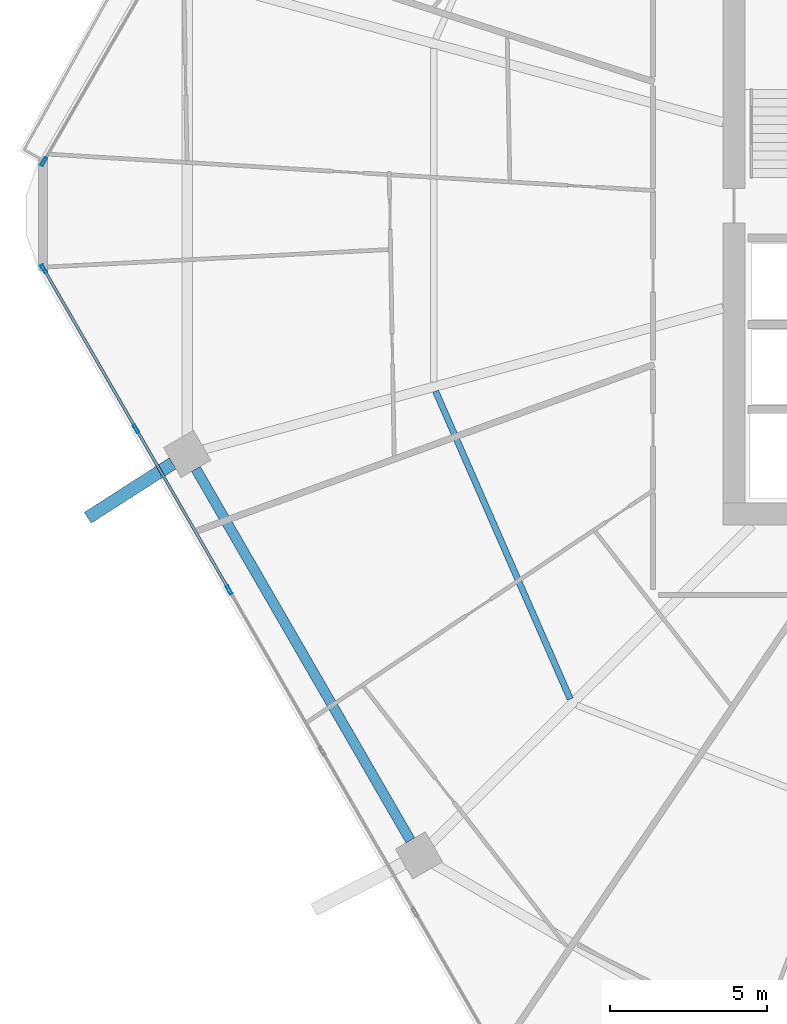
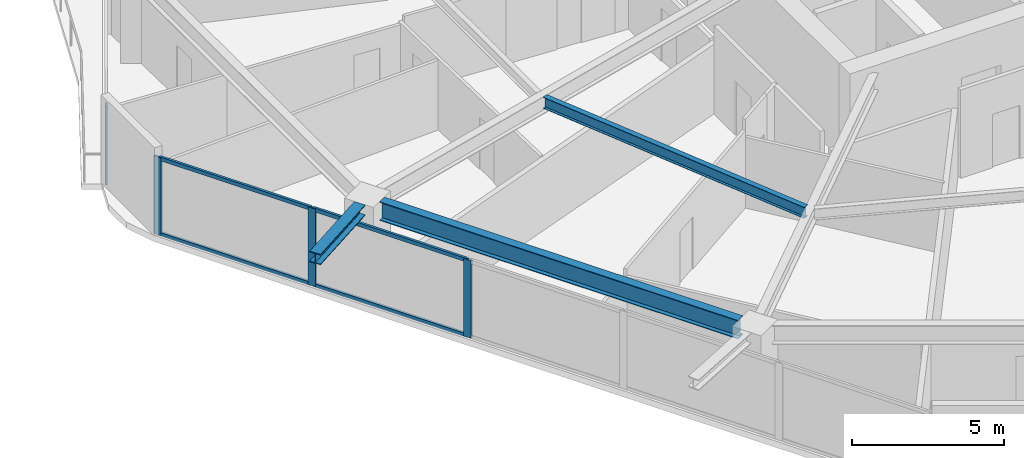
# One storey, part 5 of 33: 8 members, 3 beams, 2 elements without a shape of their own.
"""IFC4 building model written with IfcOpenShell, lengths in metres."""

from ifc_helpers import new_model, si_unit, direction, frame, origin, origin_2d, place, context, subcontext, project, spatial, hollow_rectangle, i_section, extrude, material, material_profile, profile_set, type_object, element, aggregate, save


model = new_model("IFC4")

# Units and contexts
model_context = context("Model", 3, precision=1e-05, world=origin(), true_north=direction((0.0, 1.0)))
body_context = subcontext(model_context, "Body", "Model", "MODEL_VIEW")
ifc_project = project(units=[si_unit("LENGTHUNIT", "METRE"), si_unit("AREAUNIT", "SQUARE_METRE"), si_unit("VOLUMEUNIT", "CUBIC_METRE"), si_unit("PLANEANGLEUNIT", "RADIAN"), si_unit("MASSUNIT", "GRAM", prefix="KILO")], contexts=[model_context])

# Site, building, storey
site_placement = place(None, origin())
site = spatial("IfcSite", under=ifc_project, at=site_placement, CompositionType="ELEMENT")
building_placement = place(site_placement, origin())
building = spatial("IfcBuilding", under=site, at=building_placement, Name="Zuhravey Tower", CompositionType="ELEMENT")
storey_placement = place(building_placement, frame((0.0, 0.0, 96.199951171875)))
storey = spatial("IfcBuildingStorey", under=building, at=storey_placement, Name="L23", CompositionType="ELEMENT", Elevation=96.199951171875)

# Curtain wall, members
ifc_material_1 = material(Name="Thermally broken anodised aluminium", Category="aluminium")
curtain_wall_type = type_object("IfcCurtainWallType", Name="Zone 1-2 Residential Curtain Wall CW3", PredefinedType="NOTDEFINED", material=ifc_material_1)
curtain_wall_1_placement = place(storey_placement, origin())
curtain_wall_1 = element("IfcCurtainWall", 1, at=curtain_wall_1_placement, inside=storey, type_object=curtain_wall_type, Name="L23 CW3 CW-L23-F4-1", PredefinedType="NOTDEFINED")
ifc_material_2 = material(Name="Anodised aluminium", Category="aluminium")
ifc_material_profile_1 = material_profile(ifc_material_2, hollow_rectangle(XDim=0.090087890625, YDim=0.284912109375, WallThickness=0.0048828125, at=origin_2d()), Name="ALU-RHS-90x285x5")
ifc_profile_set_1 = profile_set([ifc_material_profile_1], Name="Anodised aluminium")
member_type_1 = type_object("IfcMemberType", Name="Curtain-Wall Mullion 90x180", PredefinedType="MULLION", material=ifc_profile_set_1)
member_1_placement = place(storey_placement, frame((9.44140625, 20.083984375, 0.0), z_axis=(0.0, 0.0, 1.0), x_axis=(-0.86602552265, -0.499999794119, 0.0)))
member_1 = element("IfcMember", 2, at=member_1_placement, type_object=member_type_1, Name="CW3 mullion 4", PredefinedType="MULLION", context=body_context, shape_type="SweptSolid", body=[
    extrude(hollow_rectangle(XDim=0.090087890625, YDim=0.284912109375, WallThickness=0.0048828125, at=origin_2d()), origin(), (0.0, 0.0, 1.0), 3.1220703125),
])
member_2_placement = place(storey_placement, frame((6.4814453125, 25.210693359375, 0.0), z_axis=(0.0, 0.0, 1.0), x_axis=(-0.86602552265, -0.499999794119, 0.0)))
member_2 = element("IfcMember", 3, at=member_2_placement, type_object=member_type_1, Name="CW3 mullion 5", PredefinedType="MULLION", context=body_context, shape_type="SweptSolid", body=[
    extrude(hollow_rectangle(XDim=0.090087890625, YDim=0.284912109375, WallThickness=0.0048828125, at=origin_2d()), origin(), (0.0, 0.0, 1.0), 3.1220703125),
])
member_3_placement = place(storey_placement, frame((3.5439453125, 30.298583984375, 0.0), z_axis=(0.0, 0.0, 1.0), x_axis=(-0.86602552265, -0.499999794119, 0.0)))
member_3 = element("IfcMember", 4, at=member_3_placement, type_object=member_type_1, Name="CW3 mullion 6", PredefinedType="MULLION", context=body_context, shape_type="SweptSolid", body=[
    extrude(hollow_rectangle(XDim=0.090087890625, YDim=0.284912109375, WallThickness=0.0048828125, at=origin_2d()), origin(), (0.0, 0.0, 1.0), 3.1220703125),
])

# Curtain wall, member
curtain_wall_2_placement = place(storey_placement, origin())
curtain_wall_2 = element("IfcCurtainWall", 5, at=curtain_wall_2_placement, inside=storey, type_object=curtain_wall_type, Name="L23 CW3 CW-L23-F3-1", PredefinedType="NOTDEFINED")
member_4_placement = place(storey_placement, frame((3.5439453125, 33.701416015625, 0.0), z_axis=(0.0, 0.0, 1.0), x_axis=(-0.866025119566, 0.50000049228, 0.0)))
member_4 = element("IfcMember", 6, at=member_4_placement, type_object=member_type_1, Name="CW3 mullion 1", PredefinedType="MULLION", context=body_context, shape_type="SweptSolid", body=[
    extrude(hollow_rectangle(XDim=0.090087890625, YDim=0.284912109375, WallThickness=0.0048828125, at=origin_2d()), origin(), (0.0, 0.0, 1.0), 3.1220703125),
])
aggregate(curtain_wall_2, [member_4])

# Member
ifc_material_profile_2 = material_profile(ifc_material_2, hollow_rectangle(XDim=0.090087890625, YDim=0.14990234375, WallThickness=0.0048828125, at=origin_2d()), Name="ALU-RHS-90x150x5")
ifc_profile_set_2 = profile_set([ifc_material_profile_2], Name="Anodised aluminium")
member_type_2 = type_object("IfcMemberType", Name="Curtain-Wall Transom 90x150", PredefinedType="USERDEFINED", material=ifc_profile_set_2)
member_5_placement = place(storey_placement, frame((9.418701171875, 20.123046875, 0.045166015625), z_axis=(-0.499981042766, 0.866036348472, 0.0), x_axis=(-0.866036348472, -0.499981042766, 0.0)))
member_5 = element("IfcMember", 7, at=member_5_placement, type_object=member_type_2, Name="CW3 transom 4.1", ObjectType="TRANSOM", PredefinedType="USERDEFINED", context=body_context, shape_type="SweptSolid", body=[
    extrude(hollow_rectangle(XDim=0.090087890625, YDim=0.14990234375, WallThickness=0.0048828125, at=origin_2d()), origin(), (0.0, 0.0, 1.0), 5.829833984375),
])

member_6_placement = place(storey_placement, frame((9.418701171875, 20.123046875, 3.0771484375), z_axis=(-0.499981042766, 0.866036348472, 0.0), x_axis=(-0.866036348472, -0.499981042766, 0.0)))
member_6 = element("IfcMember", 8, at=member_6_placement, type_object=member_type_2, Name="CW3 transom 4.2", ObjectType="TRANSOM", PredefinedType="USERDEFINED", context=body_context, shape_type="SweptSolid", body=[
    extrude(hollow_rectangle(XDim=0.090087890625, YDim=0.14990234375, WallThickness=0.0048828125, at=origin_2d()), origin(), (0.0, 0.0, 1.0), 5.829833984375),
])

member_7_placement = place(storey_placement, frame((6.458984375, 25.249755859375, 0.045166015625), z_axis=(-0.500024450573, 0.866011286779, 0.0), x_axis=(-0.866011286779, -0.500024450573, 0.0)))
member_7 = element("IfcMember", 9, at=member_7_placement, type_object=member_type_2, Name="CW3 transom 5.1", ObjectType="TRANSOM", PredefinedType="USERDEFINED", context=body_context, shape_type="SweptSolid", body=[
    extrude(hollow_rectangle(XDim=0.090087890625, YDim=0.14990234375, WallThickness=0.0048828125, at=origin_2d()), origin(), (0.0, 0.0, 1.0), 5.784912109375),
])

member_8_placement = place(storey_placement, frame((6.458984375, 25.249755859375, 3.0771484375), z_axis=(-0.500024450573, 0.866011286779, 0.0), x_axis=(-0.866011286779, -0.500024450573, 0.0)))
member_8 = element("IfcMember", 10, at=member_8_placement, type_object=member_type_2, Name="CW3 transom 5.2", ObjectType="TRANSOM", PredefinedType="USERDEFINED", context=body_context, shape_type="SweptSolid", body=[
    extrude(hollow_rectangle(XDim=0.090087890625, YDim=0.14990234375, WallThickness=0.0048828125, at=origin_2d()), origin(), (0.0, 0.0, 1.0), 5.784912109375),
])

aggregate(curtain_wall_1, [member_1, member_2, member_3, member_5, member_6, member_7, member_8])

# Beams
ifc_material_3 = material(Name="Steel SM460", Category="steel")
ifc_material_profile_3 = material_profile(ifc_material_3, i_section(OverallWidth=0.406982421875, OverallDepth=0.427978515625, WebThickness=0.02001953125, FlangeThickness=0.034912109375, at=origin_2d()), Name="H-428x407x20x35")
ifc_profile_set_3 = profile_set([ifc_material_profile_3], Name="Steel SM460")
beam_type_1 = type_object("IfcBeamType", Name="Exoskeleton Node Tie Beam H428x407", PredefinedType="BEAM", material=ifc_profile_set_3)
beam_1_placement = place(storey_placement, frame((7.64404296875, 24.10888671875, 3.3359375), z_axis=(-0.841742425164, -0.539879328812, 0.0), x_axis=(0.539879328812, -0.841742425164, 0.0)))
element("IfcBeam", 11, at=beam_1_placement, inside=storey, type_object=beam_type_1, Name="L23 Exoskeleton Node Tie NT1-07", PredefinedType="BEAM", context=body_context, shape_type="SweptSolid", body=[
    extrude(i_section(OverallWidth=0.406982421875, OverallDepth=0.427978515625, WebThickness=0.02001953125, FlangeThickness=0.034912109375, at=origin_2d()), origin(), (0.0, 0.0, 1.0), 3.204345703125),
])
ifc_material_4 = material(Name="Steel SM355", Category="steel")
ifc_material_profile_4 = material_profile(ifc_material_4, i_section(OverallWidth=0.320068359375, OverallDepth=0.75, WebThickness=0.013916015625, FlangeThickness=0.02490234375, at=origin_2d()), Name="H-750x320x14x25")
ifc_profile_set_4 = profile_set([ifc_material_profile_4], Name="Steel SM355")
beam_type_2 = type_object("IfcBeamType", Name="Perimeter Ring Beam H750x320", PredefinedType="BEAM", material=ifc_profile_set_4)
beam_2_placement = place(storey_placement, frame((8.387451171875, 23.929443359375, 3.175048828125), z_axis=(0.500008177929, -0.866020682204, 0.0), x_axis=(0.866020682204, 0.500008177929, 0.0)))
element("IfcBeam", 12, at=beam_2_placement, inside=storey, type_object=beam_type_2, Name="L23 PB1 BM-L23-PB-07", PredefinedType="BEAM", context=body_context, shape_type="SweptSolid", body=[
    extrude(i_section(OverallWidth=0.320068359375, OverallDepth=0.75, WebThickness=0.013916015625, FlangeThickness=0.02490234375, at=origin_2d()), origin(), (0.0, 0.0, 1.0), 13.634033203125),
])
ifc_material_profile_5 = material_profile(ifc_material_4, i_section(OverallWidth=0.199951171875, OverallDepth=0.449951171875, WebThickness=0.009033203125, FlangeThickness=0.013916015625, at=origin_2d()), Name="H-450x200x9x14")
ifc_profile_set_5 = profile_set([ifc_material_profile_5], Name="Steel SM355")
beam_type_3 = type_object("IfcBeamType", Name="Secondary Floor Joist H450x200", PredefinedType="JOIST", material=ifc_profile_set_5)
beam_3_placement = place(storey_placement, frame((16.00927734375, 26.400390625, 3.324951171875), z_axis=(0.400786454617, -0.916171500209, 0.0), x_axis=(0.916171500209, 0.400786454617, 0.0)))
element("IfcBeam", 13, at=beam_3_placement, inside=storey, type_object=beam_type_3, Name="L23 SJ1 BM-L23-SJ-07-1", PredefinedType="JOIST", context=body_context, shape_type="SweptSolid", body=[
    extrude(i_section(OverallWidth=0.199951171875, OverallDepth=0.449951171875, WebThickness=0.009033203125, FlangeThickness=0.013916015625, at=origin_2d()), origin(), (0.0, 0.0, 1.0), 10.6796875),
])

save(model, "model.ifc")
